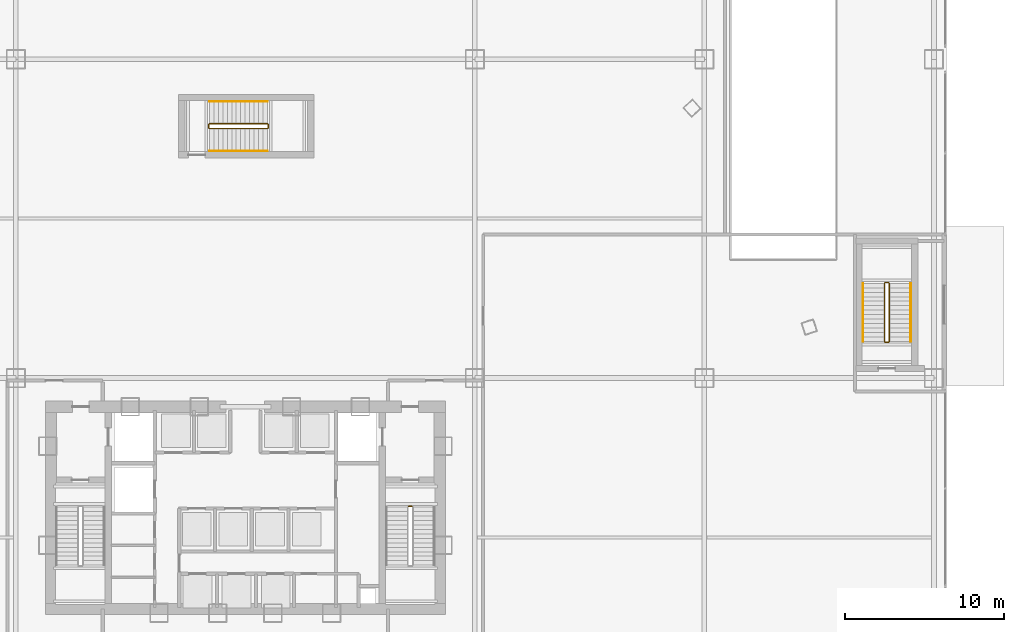
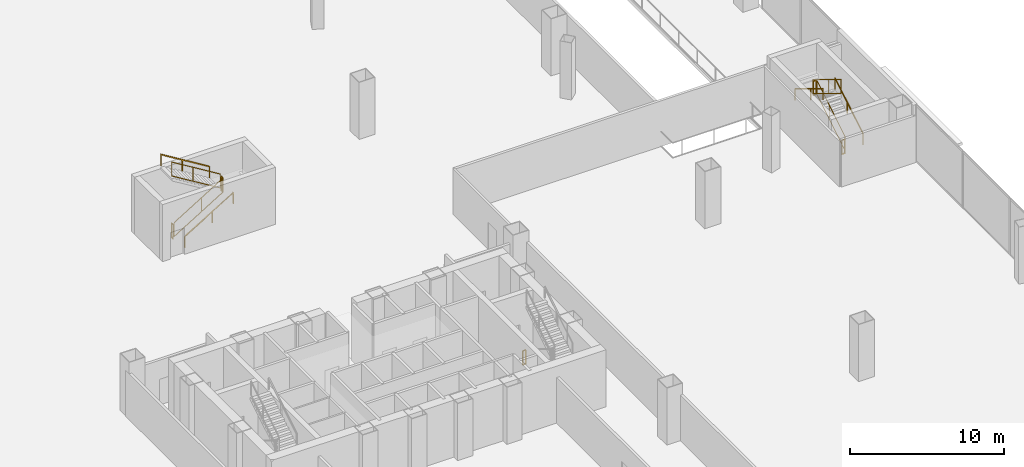
# One storey, part 56 of 58: 13 railings.
"""IFC4 building model written with IfcOpenShell, lengths in metres."""

from ifc_helpers import new_model, si_unit, direction, frame, origin, origin_2d, place, context, subcontext, project, spatial, rectangle, extrude, material, type_object, element, save


model = new_model("IFC4")

# Units and contexts
model_context = context("Model", 3, precision=1e-05, world=origin(), true_north=direction((0.0, 1.0)))
body_context = subcontext(model_context, "Body", "Model", "MODEL_VIEW")
ifc_project = project(units=[si_unit("LENGTHUNIT", "METRE"), si_unit("AREAUNIT", "SQUARE_METRE"), si_unit("VOLUMEUNIT", "CUBIC_METRE"), si_unit("PLANEANGLEUNIT", "RADIAN"), si_unit("MASSUNIT", "GRAM", prefix="KILO"), si_unit("THERMODYNAMICTEMPERATUREUNIT", "KELVIN"), si_unit("POWERUNIT", "WATT")], contexts=[model_context])

# Site, building, storey
site_placement = place(None, origin())
site = spatial("IfcSite", under=ifc_project, at=site_placement, CompositionType="ELEMENT")
building_placement = place(site_placement, origin())
building = spatial("IfcBuilding", under=site, at=building_placement, Name="Yunzhuo Pagoda Commons", CompositionType="ELEMENT")
storey_placement = place(building_placement, origin())
storey = spatial("IfcBuildingStorey", under=building, at=storey_placement, Name="L01", CompositionType="ELEMENT", Elevation=0.0)

# Railings
ifc_material = material(Name="Anodized aluminium 6063-T6", Category="aluminium")
railing_type_1 = type_object("IfcRailingType", Name="GR-PS4 Podium Well Guardrail 1165", PredefinedType="GUARDRAIL", material=ifc_material)
railing_1_placement = place(storey_placement, frame((88.39990234375, 44.300048828125, 0.17138671875)))
element("IfcRailing", 1, at=railing_1_placement, inside=storey, type_object=railing_type_1, Name="L01 PS4 stair guard 1", PredefinedType="GUARDRAIL", context=body_context, shape_type="SweptSolid", body=[
    extrude(rectangle(XDim=0.048095703125, YDim=0.048095703125, at=origin_2d()), frame((0.0, 0.0, 1.1259765625), z_axis=(0.0, 0.852850264322, 0.5221555579), x_axis=(-1.0, 0.0, 0.0)), (0.0, 0.0, 1.0), 4.267822265625),
    extrude(rectangle(XDim=0.048095703125, YDim=0.048095703125, at=origin_2d()), frame((0.0, 0.0, 0.02392578125), z_axis=(0.0, 0.852850264322, 0.5221555579), x_axis=(-1.0, 0.0, 0.0)), (0.0, 0.0, 1.0), 4.267822265625),
    extrude(rectangle(XDim=0.0419921875, YDim=0.0419921875, at=origin_2d()), origin(), (0.0, 0.0, 1.0), 1.101806640625),
    extrude(rectangle(XDim=0.0419921875, YDim=0.0419921875, at=origin_2d()), frame((0.0, 2.046875, 1.253173828125)), (0.0, 0.0, 1.0), 1.101806640625),
    extrude(rectangle(XDim=0.0419921875, YDim=0.0419921875, at=origin_2d()), frame((0.0, 3.639892578125, 2.228515625)), (0.0, 0.0, 1.0), 1.101806640625),
])
railing_2_placement = place(storey_placement, frame((88.35009765625, 47.989990234375, 2.39990234375)))
element("IfcRailing", 2, at=railing_2_placement, inside=storey, type_object=railing_type_1, Name="L01 PS4 stair guard 2", PredefinedType="GUARDRAIL", context=body_context, shape_type="SweptSolid", body=[
    extrude(rectangle(XDim=0.048095703125, YDim=0.048095703125, at=origin_2d()), frame((0.0, 0.0, 1.1259765625), z_axis=(-1.0, 0.0, 0.0), x_axis=(0.0, -1.0, 0.0)), (0.0, 0.0, 1.0), 0.2001953125),
    extrude(rectangle(XDim=0.048095703125, YDim=0.048095703125, at=origin_2d()), frame((0.0, 0.0, 0.02392578125), z_axis=(-1.0, 0.0, 0.0), x_axis=(0.0, -1.0, 0.0)), (0.0, 0.0, 1.0), 0.2001953125),
    extrude(rectangle(XDim=0.0419921875, YDim=0.0419921875, at=origin_2d()), origin(), (0.0, 0.0, 1.0), 1.101806640625),
    extrude(rectangle(XDim=0.0419921875, YDim=0.0419921875, at=origin_2d()), frame((-0.2001953125, 0.0, 0.0)), (0.0, 0.0, 1.0), 1.101806640625),
])
railing_3_placement = place(storey_placement, frame((88.10009765625, 47.93994140625, 2.571533203125)))
element("IfcRailing", 3, at=railing_3_placement, inside=storey, type_object=railing_type_1, Name="L01 PS4 stair guard 3", PredefinedType="GUARDRAIL", context=body_context, shape_type="SweptSolid", body=[
    extrude(rectangle(XDim=0.048095703125, YDim=0.048095703125, at=origin_2d()), frame((0.0, 0.0, 1.1259765625), z_axis=(0.0, -0.852850264322, 0.5221555579), x_axis=(1.0, 0.0, 0.0)), (0.0, 0.0, 1.0), 4.267822265625),
    extrude(rectangle(XDim=0.048095703125, YDim=0.048095703125, at=origin_2d()), frame((0.0, 0.0, 0.02392578125), z_axis=(0.0, -0.852850264322, 0.5221555579), x_axis=(1.0, 0.0, 0.0)), (0.0, 0.0, 1.0), 4.267822265625),
    extrude(rectangle(XDim=0.0419921875, YDim=0.0419921875, at=origin_2d()), origin(), (0.0, 0.0, 1.0), 1.101806640625),
    extrude(rectangle(XDim=0.0419921875, YDim=0.0419921875, at=origin_2d()), frame((0.0, -2.046875, 1.253173828125)), (0.0, 0.0, 1.0), 1.101806640625),
    extrude(rectangle(XDim=0.0419921875, YDim=0.0419921875, at=origin_2d()), frame((0.0, -3.639892578125, 2.228515625)), (0.0, 0.0, 1.0), 1.101806640625),
])
railing_4_placement = place(storey_placement, frame((88.35009765625, 44.25, 0.0)))
element("IfcRailing", 4, at=railing_4_placement, inside=storey, type_object=railing_type_1, Name="L01 PS4 stair guard 4", PredefinedType="GUARDRAIL", context=body_context, shape_type="SweptSolid", body=[
    extrude(rectangle(XDim=0.048095703125, YDim=0.048095703125, at=origin_2d()), frame((0.0, 0.0, 1.1259765625), z_axis=(-1.0, 0.0, 0.0), x_axis=(0.0, -1.0, 0.0)), (0.0, 0.0, 1.0), 0.2001953125),
    extrude(rectangle(XDim=0.048095703125, YDim=0.048095703125, at=origin_2d()), frame((0.0, 0.0, 0.02392578125), z_axis=(-1.0, 0.0, 0.0), x_axis=(0.0, -1.0, 0.0)), (0.0, 0.0, 1.0), 0.2001953125),
    extrude(rectangle(XDim=0.0419921875, YDim=0.0419921875, at=origin_2d()), origin(), (0.0, 0.0, 1.0), 1.101806640625),
    extrude(rectangle(XDim=0.0419921875, YDim=0.0419921875, at=origin_2d()), frame((-0.2001953125, 0.0, 0.0)), (0.0, 0.0, 1.0), 1.101806640625),
])
railing_type_2 = type_object("IfcRailingType", Name="GR-ST2 Stair Well Guardrail 1160", PredefinedType="GUARDRAIL", material=ifc_material)
railing_5_placement = place(storey_placement, frame((58.25, 33.949951171875, 0.0)))
element("IfcRailing", 5, at=railing_5_placement, inside=storey, type_object=railing_type_2, Name="L01 ST2 stair guard 4", PredefinedType="GUARDRAIL", context=body_context, shape_type="SweptSolid", body=[
    extrude(rectangle(XDim=0.048095703125, YDim=0.048095703125, at=origin_2d()), frame((0.0, 0.0, 1.1259765625), z_axis=(1.0, 0.0, 0.0), x_axis=(0.0, 1.0, 0.0)), (0.0, 0.0, 1.0), 0.199951171875),
    extrude(rectangle(XDim=0.048095703125, YDim=0.048095703125, at=origin_2d()), frame((0.0, 0.0, 0.02392578125), z_axis=(1.0, 0.0, 0.0), x_axis=(0.0, 1.0, 0.0)), (0.0, 0.0, 1.0), 0.199951171875),
    extrude(rectangle(XDim=0.0419921875, YDim=0.0419921875, at=origin_2d()), origin(), (0.0, 0.0, 1.0), 1.101806640625),
    extrude(rectangle(XDim=0.0419921875, YDim=0.0419921875, at=origin_2d()), frame((0.199951171875, 0.0, 0.0)), (0.0, 0.0, 1.0), 1.101806640625),
])
railing_type_3 = type_object("IfcRailingType", Name="GR-ST3 North Well Guardrail 1155", PredefinedType="GUARDRAIL", material=ifc_material)
railing_6_placement = place(storey_placement, frame((45.75, 57.64990234375, 0.17138671875)))
element("IfcRailing", 6, at=railing_6_placement, inside=storey, type_object=railing_type_3, Name="L01 ST3 stair guard 1", PredefinedType="GUARDRAIL", context=body_context, shape_type="SweptSolid", body=[
    extrude(rectangle(XDim=0.048095703125, YDim=0.048095703125, at=origin_2d()), frame((0.0, 0.0, 1.1259765625), z_axis=(0.852850264322, 0.0, 0.5221555579), x_axis=(0.0, 1.0, 0.0)), (0.0, 0.0, 1.0), 4.267822265625),
    extrude(rectangle(XDim=0.048095703125, YDim=0.048095703125, at=origin_2d()), frame((0.0, 0.0, 0.02392578125), z_axis=(0.852850264322, 0.0, 0.5221555579), x_axis=(0.0, 1.0, 0.0)), (0.0, 0.0, 1.0), 4.267822265625),
    extrude(rectangle(XDim=0.0419921875, YDim=0.0419921875, at=origin_2d()), origin(), (0.0, 0.0, 1.0), 1.101806640625),
    extrude(rectangle(XDim=0.0419921875, YDim=0.0419921875, at=origin_2d()), frame((2.046875, 0.0, 1.253173828125)), (0.0, 0.0, 1.0), 1.101806640625),
    extrude(rectangle(XDim=0.0419921875, YDim=0.0419921875, at=origin_2d()), frame((3.639892578125, 0.0, 2.228515625)), (0.0, 0.0, 1.0), 1.101806640625),
])
railing_7_placement = place(storey_placement, frame((49.43994140625, 57.699951171875, 2.39990234375)))
element("IfcRailing", 7, at=railing_7_placement, inside=storey, type_object=railing_type_3, Name="L01 ST3 stair guard 2", PredefinedType="GUARDRAIL", context=body_context, shape_type="SweptSolid", body=[
    extrude(rectangle(XDim=0.048095703125, YDim=0.048095703125, at=origin_2d()), frame((0.0, 0.0, 1.1259765625), z_axis=(0.0, 1.0, 0.0), x_axis=(-1.0, 0.0, 0.0)), (0.0, 0.0, 1.0), 0.199951171875),
    extrude(rectangle(XDim=0.048095703125, YDim=0.048095703125, at=origin_2d()), frame((0.0, 0.0, 0.02392578125), z_axis=(0.0, 1.0, 0.0), x_axis=(-1.0, 0.0, 0.0)), (0.0, 0.0, 1.0), 0.199951171875),
    extrude(rectangle(XDim=0.0419921875, YDim=0.0419921875, at=origin_2d()), origin(), (0.0, 0.0, 1.0), 1.101806640625),
    extrude(rectangle(XDim=0.0419921875, YDim=0.0419921875, at=origin_2d()), frame((0.0, 0.199951171875, 0.0)), (0.0, 0.0, 1.0), 1.101806640625),
])
railing_8_placement = place(storey_placement, frame((49.389892578125, 57.949951171875, 2.571533203125)))
element("IfcRailing", 8, at=railing_8_placement, inside=storey, type_object=railing_type_3, Name="L01 ST3 stair guard 3", PredefinedType="GUARDRAIL", context=body_context, shape_type="SweptSolid", body=[
    extrude(rectangle(XDim=0.048095703125, YDim=0.048095703125, at=origin_2d()), frame((0.0, 0.0, 1.1259765625), z_axis=(-0.852850264322, 0.0, 0.5221555579), x_axis=(0.0, -1.0, 0.0)), (0.0, 0.0, 1.0), 4.267822265625),
    extrude(rectangle(XDim=0.048095703125, YDim=0.048095703125, at=origin_2d()), frame((0.0, 0.0, 0.02392578125), z_axis=(-0.852850264322, 0.0, 0.5221555579), x_axis=(0.0, -1.0, 0.0)), (0.0, 0.0, 1.0), 4.267822265625),
    extrude(rectangle(XDim=0.0419921875, YDim=0.0419921875, at=origin_2d()), origin(), (0.0, 0.0, 1.0), 1.101806640625),
    extrude(rectangle(XDim=0.0419921875, YDim=0.0419921875, at=origin_2d()), frame((-2.046875, 0.0, 1.253173828125)), (0.0, 0.0, 1.0), 1.101806640625),
    extrude(rectangle(XDim=0.0419921875, YDim=0.0419921875, at=origin_2d()), frame((-3.639892578125, 0.0, 2.228515625)), (0.0, 0.0, 1.0), 1.101806640625),
])
railing_9_placement = place(storey_placement, frame((45.699951171875, 57.699951171875, 0.0)))
element("IfcRailing", 9, at=railing_9_placement, inside=storey, type_object=railing_type_3, Name="L01 ST3 stair guard 4", PredefinedType="GUARDRAIL", context=body_context, shape_type="SweptSolid", body=[
    extrude(rectangle(XDim=0.048095703125, YDim=0.048095703125, at=origin_2d()), frame((0.0, 0.0, 1.1259765625), z_axis=(0.0, 1.0, 0.0), x_axis=(-1.0, 0.0, 0.0)), (0.0, 0.0, 1.0), 0.199951171875),
    extrude(rectangle(XDim=0.048095703125, YDim=0.048095703125, at=origin_2d()), frame((0.0, 0.0, 0.02392578125), z_axis=(0.0, 1.0, 0.0), x_axis=(-1.0, 0.0, 0.0)), (0.0, 0.0, 1.0), 0.199951171875),
    extrude(rectangle(XDim=0.0419921875, YDim=0.0419921875, at=origin_2d()), origin(), (0.0, 0.0, 1.0), 1.101806640625),
    extrude(rectangle(XDim=0.0419921875, YDim=0.0419921875, at=origin_2d()), frame((0.0, 0.199951171875, 0.0)), (0.0, 0.0, 1.0), 1.101806640625),
])
railing_type_4 = type_object("IfcRailingType", Name="HR-PS4 Podium Stair Handrail 900", PredefinedType="HANDRAIL", material=ifc_material)
railing_10_placement = place(storey_placement, frame((89.75, 44.300048828125, 0.17138671875)))
element("IfcRailing", 10, at=railing_10_placement, inside=storey, type_object=railing_type_4, Name="L01 PS4 stair handrail 1", PredefinedType="HANDRAIL", context=body_context, shape_type="SweptSolid", body=[
    extrude(rectangle(XDim=0.048095703125, YDim=0.048095703125, at=origin_2d()), frame((0.0, 0.0, 0.8759765625), z_axis=(0.0, 0.852850264322, 0.5221555579), x_axis=(-1.0, 0.0, 0.0)), (0.0, 0.0, 1.0), 4.267822265625),
    extrude(rectangle(XDim=0.0419921875, YDim=0.0419921875, at=origin_2d()), origin(), (0.0, 0.0, 1.0), 0.851806640625),
    extrude(rectangle(XDim=0.0419921875, YDim=0.0419921875, at=origin_2d()), frame((0.0, 2.046875, 1.253173828125)), (0.0, 0.0, 1.0), 0.851806640625),
    extrude(rectangle(XDim=0.0419921875, YDim=0.0419921875, at=origin_2d()), frame((0.0, 3.639892578125, 2.228515625)), (0.0, 0.0, 1.0), 0.851806640625),
])
railing_11_placement = place(storey_placement, frame((86.75, 47.93994140625, 2.571533203125)))
element("IfcRailing", 11, at=railing_11_placement, inside=storey, type_object=railing_type_4, Name="L01 PS4 stair handrail 2", PredefinedType="HANDRAIL", context=body_context, shape_type="SweptSolid", body=[
    extrude(rectangle(XDim=0.048095703125, YDim=0.048095703125, at=origin_2d()), frame((0.0, 0.0, 0.8759765625), z_axis=(0.0, -0.852850264322, 0.5221555579), x_axis=(1.0, 0.0, 0.0)), (0.0, 0.0, 1.0), 4.267822265625),
    extrude(rectangle(XDim=0.0419921875, YDim=0.0419921875, at=origin_2d()), origin(), (0.0, 0.0, 1.0), 0.851806640625),
    extrude(rectangle(XDim=0.0419921875, YDim=0.0419921875, at=origin_2d()), frame((0.0, -2.046875, 1.253173828125)), (0.0, 0.0, 1.0), 0.851806640625),
    extrude(rectangle(XDim=0.0419921875, YDim=0.0419921875, at=origin_2d()), frame((0.0, -3.639892578125, 2.228515625)), (0.0, 0.0, 1.0), 0.851806640625),
])
railing_type_5 = type_object("IfcRailingType", Name="HR-ST3 North Stair Handrail 900", PredefinedType="HANDRAIL", material=ifc_material)
railing_12_placement = place(storey_placement, frame((45.75, 56.25, 0.17138671875)))
element("IfcRailing", 12, at=railing_12_placement, inside=storey, type_object=railing_type_5, Name="L01 ST3 stair handrail 1", PredefinedType="HANDRAIL", context=body_context, shape_type="SweptSolid", body=[
    extrude(rectangle(XDim=0.048095703125, YDim=0.048095703125, at=origin_2d()), frame((0.0, 0.0, 0.8759765625), z_axis=(0.852850264322, 0.0, 0.5221555579), x_axis=(0.0, 1.0, 0.0)), (0.0, 0.0, 1.0), 4.267822265625),
    extrude(rectangle(XDim=0.0419921875, YDim=0.0419921875, at=origin_2d()), origin(), (0.0, 0.0, 1.0), 0.851806640625),
    extrude(rectangle(XDim=0.0419921875, YDim=0.0419921875, at=origin_2d()), frame((2.046875, 0.0, 1.253173828125)), (0.0, 0.0, 1.0), 0.851806640625),
    extrude(rectangle(XDim=0.0419921875, YDim=0.0419921875, at=origin_2d()), frame((3.639892578125, 0.0, 2.228515625)), (0.0, 0.0, 1.0), 0.851806640625),
])
railing_13_placement = place(storey_placement, frame((49.389892578125, 59.35009765625, 2.571533203125)))
element("IfcRailing", 13, at=railing_13_placement, inside=storey, type_object=railing_type_5, Name="L01 ST3 stair handrail 2", PredefinedType="HANDRAIL", context=body_context, shape_type="SweptSolid", body=[
    extrude(rectangle(XDim=0.048095703125, YDim=0.048095703125, at=origin_2d()), frame((0.0, 0.0, 0.8759765625), z_axis=(-0.852850264322, 0.0, 0.5221555579), x_axis=(0.0, -1.0, 0.0)), (0.0, 0.0, 1.0), 4.267822265625),
    extrude(rectangle(XDim=0.0419921875, YDim=0.0419921875, at=origin_2d()), origin(), (0.0, 0.0, 1.0), 0.851806640625),
    extrude(rectangle(XDim=0.0419921875, YDim=0.0419921875, at=origin_2d()), frame((-2.046875, 0.0, 1.253173828125)), (0.0, 0.0, 1.0), 0.851806640625),
    extrude(rectangle(XDim=0.0419921875, YDim=0.0419921875, at=origin_2d()), frame((-3.639892578125, 0.0, 2.228515625)), (0.0, 0.0, 1.0), 0.851806640625),
])

save(model, "model.ifc")
